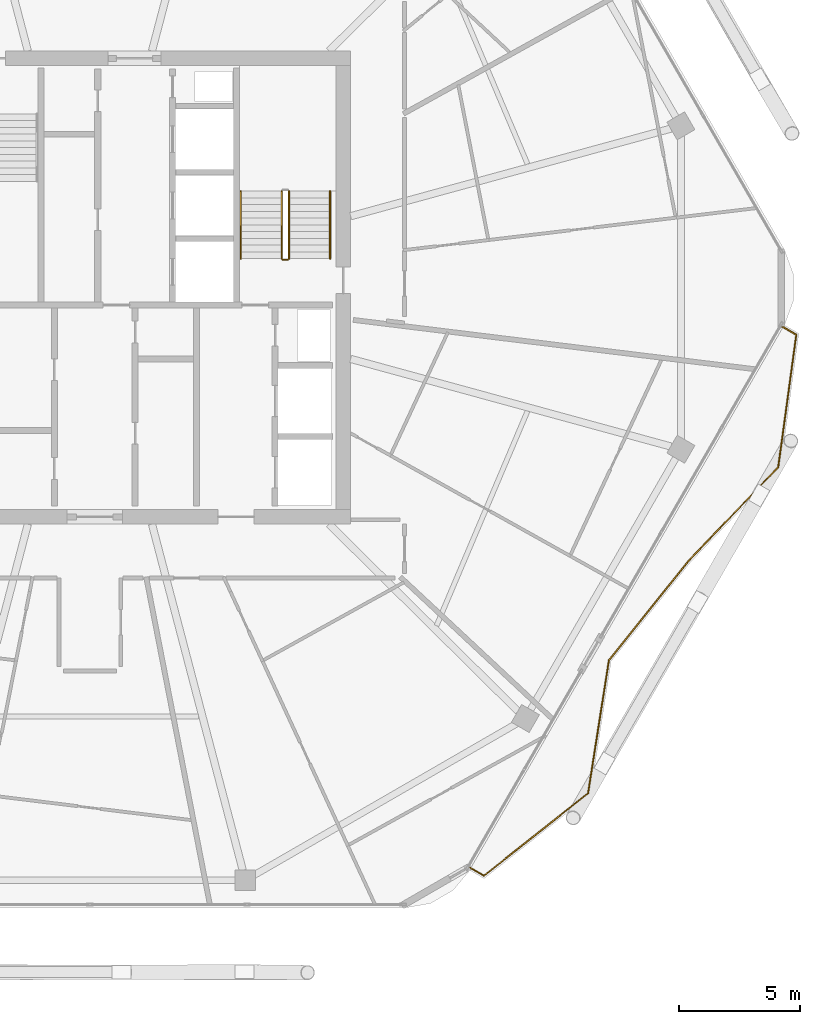
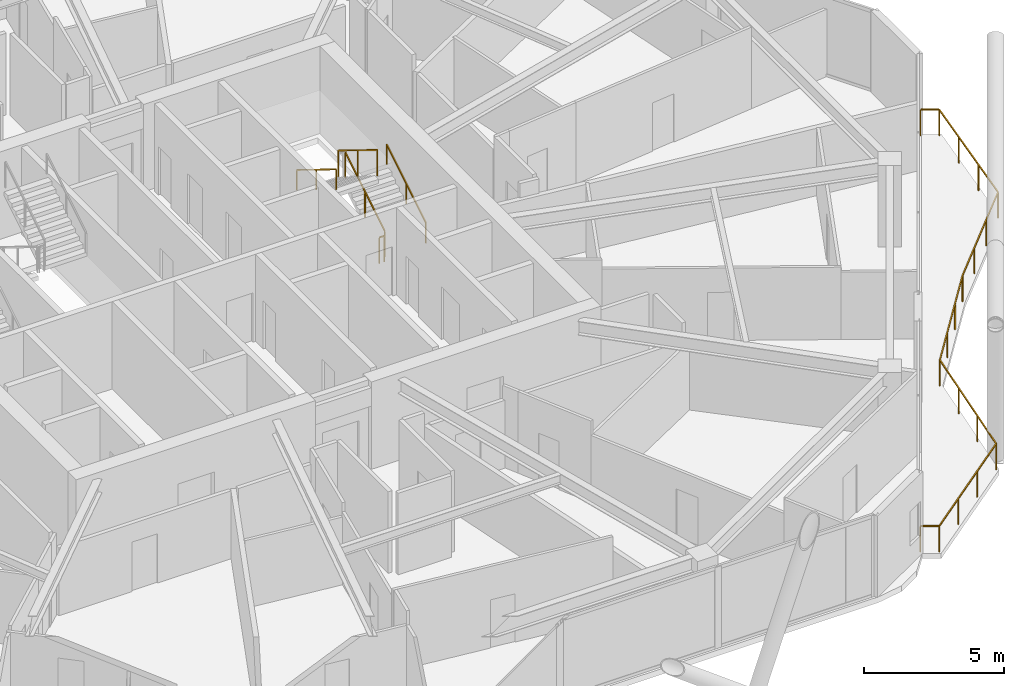
# One storey, part 27 of 29: 6 railings.
"""IFC4 building model written with IfcOpenShell, lengths in metres."""

from ifc_helpers import new_model, si_unit, direction, frame, origin, origin_2d, place, context, subcontext, project, spatial, rectangle, extrude, material, type_object, element, save


model = new_model("IFC4")

# Units and contexts
model_context = context("Model", 3, precision=1e-05, world=origin(), true_north=direction((0.0, 1.0)))
body_context = subcontext(model_context, "Body", "Model", "MODEL_VIEW")
ifc_project = project(units=[si_unit("LENGTHUNIT", "METRE"), si_unit("AREAUNIT", "SQUARE_METRE"), si_unit("VOLUMEUNIT", "CUBIC_METRE"), si_unit("PLANEANGLEUNIT", "RADIAN"), si_unit("MASSUNIT", "GRAM", prefix="KILO")], contexts=[model_context])

# Site, building, storey
site_placement = place(None, origin())
site = spatial("IfcSite", under=ifc_project, at=site_placement, CompositionType="ELEMENT")
building_placement = place(site_placement, origin())
building = spatial("IfcBuilding", under=site, at=building_placement, Name="Zuhravey Tower", CompositionType="ELEMENT")
storey_placement = place(building_placement, frame((0.0, 0.0, 269.199951171875)))
storey = spatial("IfcBuildingStorey", under=building, at=storey_placement, Name="L68", CompositionType="ELEMENT", Elevation=269.199951171875)

# Railings
ifc_material_1 = material(Name="Stainless steel 316 and laminated glass", Category="steel")
railing_type_1 = type_object("IfcRailingType", Name="Balcony & Terrace Guardrail 1150", PredefinedType="BALUSTRADE", material=ifc_material_1)
railing_1_placement = place(storey_placement, frame((64.68310546875, 30.38330078125, 0.0)))
element("IfcRailing", 1, at=railing_1_placement, inside=storey, type_object=railing_type_1, Name="L68 Face 6 Wave Balcony Guardrail GR1", PredefinedType="BALUSTRADE", context=body_context, shape_type="SweptSolid", body=[
    extrude(rectangle(XDim=0.048095703125, YDim=0.048095703125, at=origin_2d()), frame((0.001708984375, -0.0009765625, 1.1259765625), z_axis=(0.866203709533, -0.499691038134, 0.0), x_axis=(0.499691038134, 0.866203709533, 0.0)), (0.0, 0.0, 1.0), 0.668701171875),
    extrude(rectangle(XDim=0.048095703125, YDim=0.048095703125, at=origin_2d()), frame((0.58251953125, -0.338134765625, 1.1259765625), z_axis=(-0.135164370481, -0.990823189551, 0.0), x_axis=(0.990823189551, -0.135164370481, 0.0)), (0.0, 0.0, 1.0), 5.5322265625),
    extrude(rectangle(XDim=0.048095703125, YDim=0.048095703125, at=origin_2d()), frame((-0.1669921875, -5.822998046875, 1.1259765625), z_axis=(-0.69118632528, -0.722676596927, 0.0), x_axis=(0.722676596927, -0.69118632528, 0.0)), (0.0, 0.0, 1.0), 5.337646484375),
    extrude(rectangle(XDim=0.048095703125, YDim=0.048095703125, at=origin_2d()), frame((-3.85888671875, -9.683349609375, 1.1259765625), z_axis=(-0.6257711882, -0.780006679471, 0.0), x_axis=(0.780006679471, -0.6257711882, 0.0)), (0.0, 0.0, 1.0), 5.30517578125),
    extrude(rectangle(XDim=0.048095703125, YDim=0.048095703125, at=origin_2d()), frame((-7.18017578125, -13.824951171875, 1.1259765625), z_axis=(-0.154930916788, -0.987925306399, 0.0), x_axis=(0.987925306399, -0.154930916788, 0.0)), (0.0, 0.0, 1.0), 5.574462890625),
    extrude(rectangle(XDim=0.048095703125, YDim=0.048095703125, at=origin_2d()), frame((-8.045654296875, -19.335205078125, 1.1259765625), z_axis=(-0.783970273103, -0.620798365729, 0.0), x_axis=(0.620798365729, -0.783970273103, 0.0)), (0.0, 0.0, 1.0), 5.50048828125),
    extrude(rectangle(XDim=0.048095703125, YDim=0.048095703125, at=origin_2d()), frame((-12.361328125, -22.750244140625, 1.1259765625), z_axis=(-0.865997973348, 0.5000475079, 0.0), x_axis=(-0.5000475079, -0.865997973348, 0.0)), (0.0, 0.0, 1.0), 0.667724609375),
    extrude(rectangle(XDim=0.0419921875, YDim=0.0419921875, at=origin_2d()), origin(), (0.0, 0.0, 1.0), 1.099853515625),
    extrude(rectangle(XDim=0.0419921875, YDim=0.0419921875, at=origin_2d()), frame((0.582763671875, -0.336181640625, 0.0)), (0.0, 0.0, 1.0), 1.099853515625),
    extrude(rectangle(XDim=0.0419921875, YDim=0.0419921875, at=origin_2d()), frame((0.333251953125, -2.16455078125, 0.0)), (0.0, 0.0, 1.0), 1.099853515625),
    extrude(rectangle(XDim=0.0419921875, YDim=0.0419921875, at=origin_2d()), frame((0.083984375, -3.9931640625, 0.0)), (0.0, 0.0, 1.0), 1.099853515625),
    extrude(rectangle(XDim=0.0419921875, YDim=0.0419921875, at=origin_2d()), frame((-0.16552734375, -5.821533203125, 0.0)), (0.0, 0.0, 1.0), 1.099853515625),
    extrude(rectangle(XDim=0.0419921875, YDim=0.0419921875, at=origin_2d()), frame((-1.396240234375, -7.1083984375, 0.0)), (0.0, 0.0, 1.0), 1.099853515625),
    extrude(rectangle(XDim=0.0419921875, YDim=0.0419921875, at=origin_2d()), frame((-2.626953125, -8.39501953125, 0.0)), (0.0, 0.0, 1.0), 1.099853515625),
    extrude(rectangle(XDim=0.0419921875, YDim=0.0419921875, at=origin_2d()), frame((-3.857666015625, -9.681884765625, 0.0)), (0.0, 0.0, 1.0), 1.099853515625),
    extrude(rectangle(XDim=0.0419921875, YDim=0.0419921875, at=origin_2d()), frame((-4.965087890625, -11.062255859375, 0.0)), (0.0, 0.0, 1.0), 1.099853515625),
    extrude(rectangle(XDim=0.0419921875, YDim=0.0419921875, at=origin_2d()), frame((-6.072509765625, -12.442626953125, 0.0)), (0.0, 0.0, 1.0), 1.099853515625),
    extrude(rectangle(XDim=0.0419921875, YDim=0.0419921875, at=origin_2d()), frame((-7.179931640625, -13.822998046875, 0.0)), (0.0, 0.0, 1.0), 1.099853515625),
    extrude(rectangle(XDim=0.0419921875, YDim=0.0419921875, at=origin_2d()), frame((-7.468017578125, -15.659912109375, 0.0)), (0.0, 0.0, 1.0), 1.099853515625),
    extrude(rectangle(XDim=0.0419921875, YDim=0.0419921875, at=origin_2d()), frame((-7.756103515625, -17.4970703125, 0.0)), (0.0, 0.0, 1.0), 1.099853515625),
    extrude(rectangle(XDim=0.0419921875, YDim=0.0419921875, at=origin_2d()), frame((-8.044189453125, -19.333984375, 0.0)), (0.0, 0.0, 1.0), 1.099853515625),
    extrude(rectangle(XDim=0.0419921875, YDim=0.0419921875, at=origin_2d()), frame((-9.482666015625, -20.47314453125, 0.0)), (0.0, 0.0, 1.0), 1.099853515625),
    extrude(rectangle(XDim=0.0419921875, YDim=0.0419921875, at=origin_2d()), frame((-10.921142578125, -21.612060546875, 0.0)), (0.0, 0.0, 1.0), 1.099853515625),
    extrude(rectangle(XDim=0.0419921875, YDim=0.0419921875, at=origin_2d()), frame((-12.359619140625, -22.751220703125, 0.0)), (0.0, 0.0, 1.0), 1.099853515625),
    extrude(rectangle(XDim=0.0419921875, YDim=0.0419921875, at=origin_2d()), frame((-12.94140625, -22.415283203125, 0.0)), (0.0, 0.0, 1.0), 1.099853515625),
])
ifc_material_2 = material(Name="Brushed stainless steel", Category="steel")
railing_type_2 = type_object("IfcRailingType", Name="Stair Wall Handrail 900", PredefinedType="HANDRAIL", material=ifc_material_2)
railing_2_placement = place(storey_placement, frame((45.949951171875, 33.199951171875, 0.1728515625)))
element("IfcRailing", 2, at=railing_2_placement, inside=storey, type_object=railing_type_2, Name="L68 ST2 stair handrail 1", PredefinedType="HANDRAIL", context=body_context, shape_type="SweptSolid", body=[
    extrude(rectangle(XDim=0.048095703125, YDim=0.048095703125, at=origin_2d()), frame((0.0, 0.001708984375, 0.876953125), z_axis=(0.0, 0.851089632645, 0.525020415988), x_axis=(-1.0, 0.0, 0.0)), (0.0, 0.0, 1.0), 3.285888671875),
    extrude(rectangle(XDim=0.0419921875, YDim=0.0419921875, at=origin_2d()), origin(), (0.0, 0.0, 1.0), 0.849853515625),
    extrude(rectangle(XDim=0.0419921875, YDim=0.0419921875, at=origin_2d()), frame((0.0, 1.39990234375, 0.86376953125)), (0.0, 0.0, 1.0), 0.849853515625),
    extrude(rectangle(XDim=0.0419921875, YDim=0.0419921875, at=origin_2d()), frame((0.0, 2.800048828125, 1.727294921875)), (0.0, 0.0, 1.0), 0.849853515625),
])
railing_3_placement = place(storey_placement, frame((42.25, 36.0, 2.07275390625)))
element("IfcRailing", 3, at=railing_3_placement, inside=storey, type_object=railing_type_2, Name="L68 ST2 stair handrail 2", PredefinedType="HANDRAIL", context=body_context, shape_type="SweptSolid", body=[
    extrude(rectangle(XDim=0.048095703125, YDim=0.048095703125, at=origin_2d()), frame((0.0, -0.001708984375, 0.876953125), z_axis=(0.0, -0.851089632645, 0.525020415988), x_axis=(1.0, 0.0, 0.0)), (0.0, 0.0, 1.0), 3.285888671875),
    extrude(rectangle(XDim=0.0419921875, YDim=0.0419921875, at=origin_2d()), origin(), (0.0, 0.0, 1.0), 0.849853515625),
    extrude(rectangle(XDim=0.0419921875, YDim=0.0419921875, at=origin_2d()), frame((0.0, -1.39990234375, 0.86376953125)), (0.0, 0.0, 1.0), 0.849853515625),
    extrude(rectangle(XDim=0.0419921875, YDim=0.0419921875, at=origin_2d()), frame((0.0, -2.800048828125, 1.727294921875)), (0.0, 0.0, 1.0), 0.849853515625),
])
ifc_material_3 = material(Name="Painted tubular steel", Category="steel")
railing_type_3 = type_object("IfcRailingType", Name="Stair Well Guardrail 1150", PredefinedType="GUARDRAIL", material=ifc_material_3)
railing_4_placement = place(storey_placement, frame((44.25, 33.199951171875, 0.1728515625)))
element("IfcRailing", 4, at=railing_4_placement, inside=storey, type_object=railing_type_3, Name="L68 ST2 stair guard 1", PredefinedType="GUARDRAIL", context=body_context, shape_type="SweptSolid", body=[
    extrude(rectangle(XDim=0.048095703125, YDim=0.048095703125, at=origin_2d()), frame((0.0, 0.001708984375, 1.126953125), z_axis=(0.0, 0.851089632645, 0.525020415988), x_axis=(-1.0, 0.0, 0.0)), (0.0, 0.0, 1.0), 3.285888671875),
    extrude(rectangle(XDim=0.0419921875, YDim=0.0419921875, at=origin_2d()), origin(), (0.0, 0.0, 1.0), 1.099853515625),
    extrude(rectangle(XDim=0.0419921875, YDim=0.0419921875, at=origin_2d()), frame((0.0, 1.39990234375, 0.86376953125)), (0.0, 0.0, 1.0), 1.099853515625),
    extrude(rectangle(XDim=0.0419921875, YDim=0.0419921875, at=origin_2d()), frame((0.0, 2.800048828125, 1.727294921875)), (0.0, 0.0, 1.0), 1.099853515625),
])
railing_5_placement = place(storey_placement, frame((43.949951171875, 36.0, 2.07275390625)))
element("IfcRailing", 5, at=railing_5_placement, inside=storey, type_object=railing_type_3, Name="L68 ST2 stair guard 3", PredefinedType="GUARDRAIL", context=body_context, shape_type="SweptSolid", body=[
    extrude(rectangle(XDim=0.048095703125, YDim=0.048095703125, at=origin_2d()), frame((0.0, -0.001708984375, 1.126953125), z_axis=(0.0, -0.851089632645, 0.525020415988), x_axis=(1.0, 0.0, 0.0)), (0.0, 0.0, 1.0), 3.285888671875),
    extrude(rectangle(XDim=0.0419921875, YDim=0.0419921875, at=origin_2d()), origin(), (0.0, 0.0, 1.0), 1.099853515625),
    extrude(rectangle(XDim=0.0419921875, YDim=0.0419921875, at=origin_2d()), frame((0.0, -1.39990234375, 0.86376953125)), (0.0, 0.0, 1.0), 1.099853515625),
    extrude(rectangle(XDim=0.0419921875, YDim=0.0419921875, at=origin_2d()), frame((0.0, -2.800048828125, 1.727294921875)), (0.0, 0.0, 1.0), 1.099853515625),
])
railing_6_placement = place(storey_placement, frame((44.199951171875, 33.14990234375, 0.0)))
element("IfcRailing", 6, at=railing_6_placement, inside=storey, type_object=railing_type_3, Name="L68 ST2 stair guard 4", PredefinedType="GUARDRAIL", context=body_context, shape_type="SweptSolid", body=[
    extrude(rectangle(XDim=0.048095703125, YDim=0.048095703125, at=origin_2d()), frame((-0.001953125, 0.0, 1.1259765625), z_axis=(-1.0, 0.0, 0.0), x_axis=(0.0, -1.0, 0.0)), (0.0, 0.0, 1.0), 0.196044921875),
    extrude(rectangle(XDim=0.0419921875, YDim=0.0419921875, at=origin_2d()), origin(), (0.0, 0.0, 1.0), 1.099853515625),
    extrude(rectangle(XDim=0.0419921875, YDim=0.0419921875, at=origin_2d()), frame((-0.199951171875, 0.0, 0.0)), (0.0, 0.0, 1.0), 1.099853515625),
])

save(model, "model.ifc")
